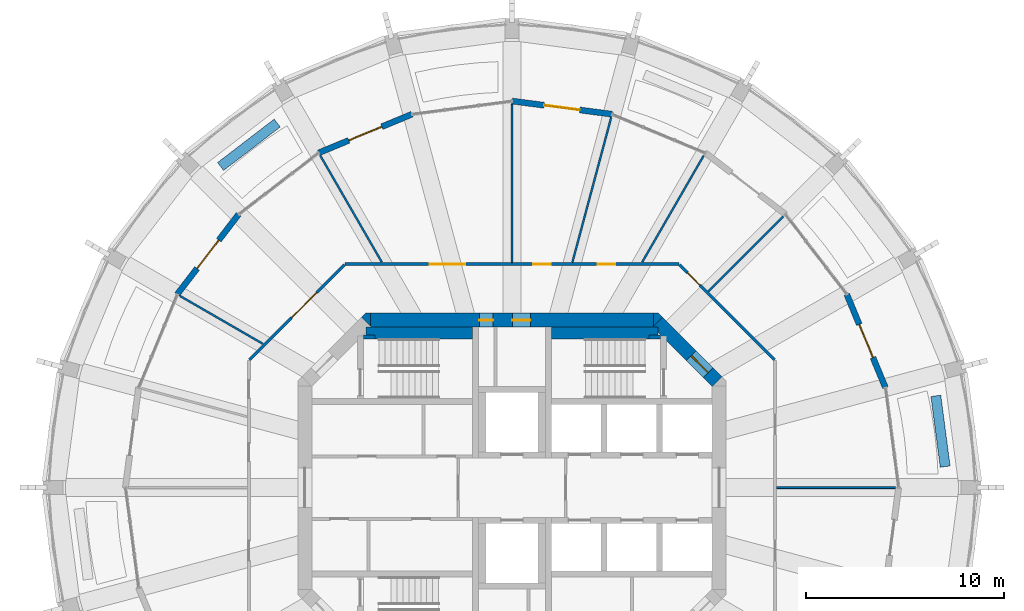
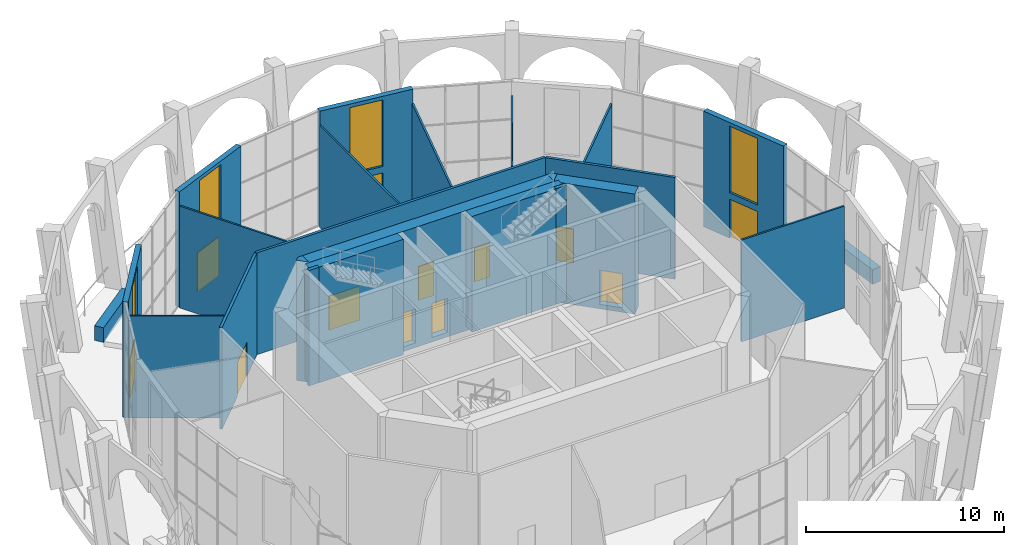
# One storey, part 12 of 16: 24 walls, 12 doors, 4 windows, 16 openings.
"""IFC4 building model written with IfcOpenShell, lengths in metres."""

from ifc_helpers import new_model, si_unit, direction, frame, frame_2d, origin, place, context, subcontext, project, spatial, polyline, rectangle, outline, extrude, material, layer, layer_set, type_object, element, fill, save


model = new_model("IFC4")

# Units and contexts
model_context = context("Model", 3, precision=1e-05, world=origin(), true_north=direction((0.0, 1.0)))
body_context = subcontext(model_context, "Body", "Model", "MODEL_VIEW")
ifc_project = project(units=[si_unit("LENGTHUNIT", "METRE"), si_unit("AREAUNIT", "SQUARE_METRE"), si_unit("VOLUMEUNIT", "CUBIC_METRE"), si_unit("PLANEANGLEUNIT", "RADIAN"), si_unit("MASSUNIT", "GRAM", prefix="KILO")], contexts=[model_context])

# Site, building, storey
site_placement = place(None, origin())
site = spatial("IfcSite", under=ifc_project, at=site_placement, CompositionType="ELEMENT")
building_placement = place(site_placement, origin())
building = spatial("IfcBuilding", under=site, at=building_placement, Name="Torre Triforio", CompositionType="ELEMENT")
storey_placement = place(building_placement, frame((0.0, 0.0, 218.699951171875)))
storey = spatial("IfcBuildingStorey", under=building, at=storey_placement, Name="L50", CompositionType="ELEMENT", Elevation=218.699951171875)

# Wall, openings, doors
ifc_material_1 = material(Name="Concrete C50", Category="concrete")
ifc_layer_1 = layer(ifc_material_1, 0.699951171875)
ifc_layer_set_1 = layer_set([ifc_layer_1], Name="Concrete C50")
wall_type_1 = type_object("IfcWallType", Name="Core wall 700 mm C50 EI 120", PredefinedType="SHEAR", material=ifc_layer_set_1)
wall_1_placement = place(storey_placement, frame((-7.1298828125, 8.449951171875, -0.280029296875), z_axis=(0.0, 0.0, 1.0), x_axis=(1.0, 0.0, 0.0)))
wall_1 = element("IfcWall", 1, at=wall_1_placement, inside=storey, type_object=wall_type_1, Name="Core wall", PredefinedType="SHEAR", context=body_context, shape_type="SweptSolid", body=[
    extrude(rectangle(XDim=14.259765625, YDim=0.699951171875, at=frame_2d((7.1298828125, 0.0))), origin(), (0.0, 0.0, 1.0), 7.400146484375),
])
opening_1_placement = place(wall_1_placement, frame((5.47998046875, 0.0, 0.280029296875)))
opening_1 = element("IfcOpeningElement", 2, at=opening_1_placement, cuts=wall_1, Name="Opening RISER-N", PredefinedType="OPENING", context=body_context, shape_type="SweptSolid", body=[
    extrude(rectangle(XDim=0.699951171875, YDim=2.10009765625, at=frame_2d((0.35009765625, 1.050048828125))), frame((0.0, 0.35986328125, 0.0), z_axis=(0.0, -1.0, 0.0), x_axis=(1.0, 0.0, 0.0)), (0.0, 0.0, 1.0), 0.719970703125),
])
opening_2_placement = place(wall_1_placement, frame((7.155029296875, 0.0, 0.280029296875)))
opening_2 = element("IfcOpeningElement", 3, at=opening_2_placement, cuts=wall_1, Name="Opening NE-01", PredefinedType="OPENING", context=body_context, shape_type="SweptSolid", body=[
    extrude(rectangle(XDim=0.89990234375, YDim=2.10009765625, at=frame_2d((0.449951171875, 1.050048828125))), frame((0.0, 0.35986328125, 0.0), z_axis=(0.0, -1.0, 0.0), x_axis=(1.0, 0.0, 0.0)), (0.0, 0.0, 1.0), 0.719970703125),
])
ifc_material_2 = material(Name="Hollow metal fire door leaf")
door_type_1 = type_object("IfcDoorType", Name="Riser door 700 x 2100 EI 60", OperationType="NOTDEFINED", PredefinedType="DOOR", material=ifc_material_2)
door_1_placement = place(opening_1_placement, origin())
door_1 = element("IfcDoor", 4, at=door_1_placement, inside=storey, type_object=door_type_1, Name="Core door RISER-N", OperationType="SINGLE_SWING_LEFT", OverallHeight=2.10009765625, OverallWidth=0.699951171875, PredefinedType="DOOR", context=body_context, shape_type="SweptSolid", body=[
    extrude(rectangle(XDim=0.699951171875, YDim=2.10009765625, at=frame_2d((0.35009765625, 1.050048828125))), frame((0.0, 0.02490234375, 0.0), z_axis=(0.0, -1.0, 0.0), x_axis=(1.0, 0.0, 0.0)), (0.0, 0.0, 1.0), 0.050048828125),
])
fill(opening_1, door_1)
door_type_2 = type_object("IfcDoorType", Name="Room door 900 x 2100 EI 60", OperationType="NOTDEFINED", PredefinedType="DOOR", material=ifc_material_2)
door_2_placement = place(opening_2_placement, origin())
door_2 = element("IfcDoor", 5, at=door_2_placement, inside=storey, type_object=door_type_2, Name="Core door NE-01", OperationType="SINGLE_SWING_RIGHT", OverallHeight=2.10009765625, OverallWidth=0.89990234375, PredefinedType="DOOR", context=body_context, shape_type="SweptSolid", body=[
    extrude(rectangle(XDim=0.89990234375, YDim=2.10009765625, at=frame_2d((0.449951171875, 1.050048828125))), frame((0.0, 0.02490234375, 0.0), z_axis=(0.0, -1.0, 0.0), x_axis=(1.0, 0.0, 0.0)), (0.0, 0.0, 1.0), 0.050048828125),
])
fill(opening_2, door_2)

# Wall, opening, door
wall_2_placement = place(storey_placement, frame((7.347412109375, 8.347412109375, -0.280029296875), z_axis=(0.0, 0.0, 1.0), x_axis=(0.707106781187, -0.707106781187, 0.0)))
wall_2 = element("IfcWall", 6, at=wall_2_placement, inside=storey, type_object=wall_type_1, Name="Core wall", PredefinedType="SHEAR", context=body_context, shape_type="SweptSolid", body=[
    extrude(rectangle(XDim=4.24267578125, YDim=0.699951171875, at=frame_2d((2.121337890625, 0.0))), origin(), (0.0, 0.0, 1.0), 7.400146484375),
])
opening_3_placement = place(wall_2_placement, frame((2.392578125, 0.0, 0.280029296875)))
opening_3 = element("IfcOpeningElement", 7, at=opening_3_placement, cuts=wall_2, Name="Opening ST2-EXIT", PredefinedType="OPENING", context=body_context, shape_type="SweptSolid", body=[
    extrude(rectangle(XDim=1.199951171875, YDim=2.10009765625, at=frame_2d((0.60009765625, 1.050048828125))), frame((0.0, 0.35986328125, 0.0), z_axis=(0.0, -1.0, 0.0), x_axis=(1.0, 0.0, 0.0)), (0.0, 0.0, 1.0), 0.719970703125),
])
door_type_3 = type_object("IfcDoorType", Name="Stair lobby door 1200 x 2100 EI 60", OperationType="NOTDEFINED", PredefinedType="DOOR", material=ifc_material_2)
door_3_placement = place(opening_3_placement, origin())
door_3 = element("IfcDoor", 8, at=door_3_placement, inside=storey, type_object=door_type_3, Name="Core door ST2-EXIT", OperationType="SINGLE_SWING_RIGHT", OverallHeight=2.10009765625, OverallWidth=1.199951171875, PredefinedType="DOOR", context=body_context, shape_type="SweptSolid", body=[
    extrude(rectangle(XDim=1.199951171875, YDim=2.10009765625, at=frame_2d((0.60009765625, 1.050048828125))), frame((0.0, 0.02490234375, 0.0), z_axis=(0.0, -1.0, 0.0), x_axis=(1.0, 0.0, 0.0)), (0.0, 0.0, 1.0), 0.050048828125),
])
fill(opening_3, door_3)

# Walls
wall_3_placement = place(storey_placement, frame((0.0, 0.0, -0.280029296875)))
element("IfcWall", 9, at=wall_3_placement, inside=storey, type_object=wall_type_1, Name="Core wall", PredefinedType="SHEAR", context=body_context, shape_type="SweptSolid", body=[
    extrude(outline(polyline([(-7.389892578125, 8.800048828125), (-7.1298828125, 8.800048828125), (-7.1298828125, 8.800048828125), (-7.1298828125, 8.1298828125), (-7.594970703125, 8.594970703125), (-7.594970703125, 8.594970703125), (-7.594970703125, 8.594970703125), (-7.389892578125, 8.800048828125)])), origin(), (0.0, 0.0, 1.0), 7.400146484375),
])
wall_4_placement = place(storey_placement, frame((0.0, 0.0, -0.280029296875)))
element("IfcWall", 10, at=wall_4_placement, inside=storey, type_object=wall_type_1, Name="Core wall", PredefinedType="SHEAR", context=body_context, shape_type="SweptSolid", body=[
    extrude(outline(polyline([(7.389892578125, 8.800048828125), (7.594970703125, 8.594970703125), (7.594970703125, 8.594970703125), (7.594970703125, 8.594970703125), (7.1298828125, 8.1298828125), (7.1298828125, 8.800048828125), (7.1298828125, 8.800048828125), (7.389892578125, 8.800048828125)])), origin(), (0.0, 0.0, 1.0), 7.400146484375),
])

# Wall, opening, door
ifc_material_3 = material(Name="Plasterboard on metal studs")
ifc_layer_2 = layer(ifc_material_3, 0.14990234375)
ifc_layer_set_2 = layer_set([ifc_layer_2], Name="Plasterboard on metal studs")
wall_type_2 = type_object("IfcWallType", Name="Corridor and tenancy wall 150 mm EI 60", PredefinedType="PARTITIONING", material=ifc_layer_set_2)
wall_5_placement = place(storey_placement, frame((-13.23779296875, 6.452392578125, 0.0), z_axis=(0.0, 0.0, 1.0), x_axis=(0.707106781187, 0.707106781187, 0.0)))
wall_5 = element("IfcWall", 11, at=wall_5_placement, inside=storey, type_object=wall_type_2, Name="Partition 5", PredefinedType="PARTITIONING", context=body_context, shape_type="SweptSolid", body=[
    extrude(rectangle(XDim=6.767578125, YDim=0.14990234375, at=frame_2d((3.3837890625, 0.0))), origin(), (0.0, 0.0, 1.0), 6.27001953125),
])
opening_4_placement = place(wall_5_placement, frame((2.99169921875, 0.0, 0.0)))
opening_4 = element("IfcOpeningElement", 12, at=opening_4_placement, cuts=wall_5, Name="Opening G3-02", PredefinedType="OPENING", context=body_context, shape_type="SweptSolid", body=[
    extrude(rectangle(XDim=1.800048828125, YDim=2.10009765625, at=frame_2d((0.89990234375, 1.050048828125))), frame((0.0, 0.0849609375, 0.0), z_axis=(0.0, -1.0, 0.0), x_axis=(1.0, 0.0, 0.0)), (0.0, 0.0, 1.0), 0.169921875),
])
ifc_material_4 = material(Name="Timber", Category="wood")
door_type_4 = type_object("IfcDoorType", Name="Door 1800 x 2100 double leaf EI 30", OperationType="DOUBLE_DOOR_SINGLE_SWING", PredefinedType="DOOR", material=ifc_material_4)
door_4_placement = place(opening_4_placement, origin())
door_4 = element("IfcDoor", 13, at=door_4_placement, inside=storey, type_object=door_type_4, Name="Door G3-02", OperationType="DOUBLE_DOOR_SINGLE_SWING", OverallHeight=2.10009765625, OverallWidth=1.800048828125, PredefinedType="DOOR", context=body_context, shape_type="SweptSolid", body=[
    extrude(rectangle(XDim=1.800048828125, YDim=2.10009765625, at=frame_2d((0.89990234375, 1.050048828125))), frame((0.0, 0.02490234375, 0.0), z_axis=(0.0, -1.0, 0.0), x_axis=(1.0, 0.0, 0.0)), (0.0, 0.0, 1.0), 0.050048828125),
])
fill(opening_4, door_4)

# Wall, openings, doors
wall_6_placement = place(storey_placement, frame((-8.4150390625, 11.27490234375, 0.0), z_axis=(0.0, 0.0, 1.0), x_axis=(1.0, 0.0, 0.0)))
wall_6 = element("IfcWall", 14, at=wall_6_placement, inside=storey, type_object=wall_type_2, Name="Partition 6", PredefinedType="PARTITIONING", context=body_context, shape_type="SweptSolid", body=[
    extrude(rectangle(XDim=16.830078125, YDim=0.14990234375, at=frame_2d((8.4150390625, 0.0))), origin(), (0.0, 0.0, 1.0), 6.27001953125),
])
opening_5_placement = place(wall_6_placement, frame((4.25634765625, 0.0, 0.0)))
opening_5 = element("IfcOpeningElement", 15, at=opening_5_placement, cuts=wall_6, Name="Opening G3-01", PredefinedType="OPENING", context=body_context, shape_type="SweptSolid", body=[
    extrude(rectangle(XDim=1.800048828125, YDim=2.10009765625, at=frame_2d((0.89990234375, 1.050048828125))), frame((0.0, 0.0849609375, 0.0), z_axis=(0.0, -1.0, 0.0), x_axis=(1.0, 0.0, 0.0)), (0.0, 0.0, 1.0), 0.169921875),
])
opening_6_placement = place(wall_6_placement, frame((12.734375, 0.0, 0.0)))
opening_6 = element("IfcOpeningElement", 16, at=opening_6_placement, cuts=wall_6, Name="Opening G3-11", PredefinedType="OPENING", context=body_context, shape_type="SweptSolid", body=[
    extrude(rectangle(XDim=0.89990234375, YDim=2.10009765625, at=frame_2d((0.449951171875, 1.050048828125))), frame((0.0, 0.0849609375, 0.0), z_axis=(0.0, -1.0, 0.0), x_axis=(1.0, 0.0, 0.0)), (0.0, 0.0, 1.0), 0.169921875),
])
opening_7_placement = place(wall_6_placement, frame((9.4765625, 0.0, 0.0)))
opening_7 = element("IfcOpeningElement", 17, at=opening_7_placement, cuts=wall_6, Name="Opening G3-12", PredefinedType="OPENING", context=body_context, shape_type="SweptSolid", body=[
    extrude(rectangle(XDim=0.89990234375, YDim=2.10009765625, at=frame_2d((0.449951171875, 1.050048828125))), frame((0.0, 0.0849609375, 0.0), z_axis=(0.0, -1.0, 0.0), x_axis=(1.0, 0.0, 0.0)), (0.0, 0.0, 1.0), 0.169921875),
])
door_5_placement = place(opening_5_placement, origin())
door_5 = element("IfcDoor", 18, at=door_5_placement, inside=storey, type_object=door_type_4, Name="Door G3-01", OperationType="DOUBLE_DOOR_SINGLE_SWING", OverallHeight=2.10009765625, OverallWidth=1.800048828125, PredefinedType="DOOR", context=body_context, shape_type="SweptSolid", body=[
    extrude(rectangle(XDim=1.800048828125, YDim=2.10009765625, at=frame_2d((0.89990234375, 1.050048828125))), frame((0.0, 0.02490234375, 0.0), z_axis=(0.0, -1.0, 0.0), x_axis=(1.0, 0.0, 0.0)), (0.0, 0.0, 1.0), 0.050048828125),
])
fill(opening_5, door_5)
door_type_5 = type_object("IfcDoorType", Name="Door 900 x 2100 single leaf EI 30", OperationType="NOTDEFINED", PredefinedType="DOOR", material=ifc_material_4)
door_6_placement = place(opening_6_placement, origin())
door_6 = element("IfcDoor", 19, at=door_6_placement, inside=storey, type_object=door_type_5, Name="Door G3-11", OperationType="SINGLE_SWING_RIGHT", OverallHeight=2.10009765625, OverallWidth=0.89990234375, PredefinedType="DOOR", context=body_context, shape_type="SweptSolid", body=[
    extrude(rectangle(XDim=0.89990234375, YDim=2.10009765625, at=frame_2d((0.449951171875, 1.050048828125))), frame((0.0, 0.02490234375, 0.0), z_axis=(0.0, -1.0, 0.0), x_axis=(1.0, 0.0, 0.0)), (0.0, 0.0, 1.0), 0.050048828125),
])
fill(opening_6, door_6)
door_7_placement = place(opening_7_placement, origin())
door_7 = element("IfcDoor", 20, at=door_7_placement, inside=storey, type_object=door_type_5, Name="Door G3-12", OperationType="SINGLE_SWING_RIGHT", OverallHeight=2.10009765625, OverallWidth=0.89990234375, PredefinedType="DOOR", context=body_context, shape_type="SweptSolid", body=[
    extrude(rectangle(XDim=0.89990234375, YDim=2.10009765625, at=frame_2d((0.449951171875, 1.050048828125))), frame((0.0, 0.02490234375, 0.0), z_axis=(0.0, -1.0, 0.0), x_axis=(1.0, 0.0, 0.0)), (0.0, 0.0, 1.0), 0.050048828125),
])
fill(opening_7, door_7)

# Wall, opening, door
wall_7_placement = place(storey_placement, frame((8.452392578125, 11.23779296875, 0.0), z_axis=(0.0, 0.0, 1.0), x_axis=(0.707106781187, -0.707106781187, 0.0)))
wall_7 = element("IfcWall", 21, at=wall_7_placement, inside=storey, type_object=wall_type_2, Name="Partition 7", PredefinedType="PARTITIONING", context=body_context, shape_type="SweptSolid", body=[
    extrude(rectangle(XDim=6.767578125, YDim=0.14990234375, at=frame_2d((3.3837890625, 0.0))), origin(), (0.0, 0.0, 1.0), 6.27001953125),
])
opening_8_placement = place(wall_7_placement, frame((0.559814453125, 0.0, 0.0)))
opening_8 = element("IfcOpeningElement", 22, at=opening_8_placement, cuts=wall_7, Name="Opening G3-10", PredefinedType="OPENING", context=body_context, shape_type="SweptSolid", body=[
    extrude(rectangle(XDim=0.89990234375, YDim=2.10009765625, at=frame_2d((0.449951171875, 1.050048828125))), frame((0.0, 0.0849609375, 0.0), z_axis=(0.0, -1.0, 0.0), x_axis=(1.0, 0.0, 0.0)), (0.0, 0.0, 1.0), 0.169921875),
])
door_8_placement = place(opening_8_placement, origin())
door_8 = element("IfcDoor", 23, at=door_8_placement, inside=storey, type_object=door_type_5, Name="Door G3-10", OperationType="SINGLE_SWING_LEFT", OverallHeight=2.10009765625, OverallWidth=0.89990234375, PredefinedType="DOOR", context=body_context, shape_type="SweptSolid", body=[
    extrude(rectangle(XDim=0.89990234375, YDim=2.10009765625, at=frame_2d((0.449951171875, 1.050048828125))), frame((0.0, 0.02490234375, 0.0), z_axis=(0.0, -1.0, 0.0), x_axis=(1.0, 0.0, 0.0)), (0.0, 0.0, 1.0), 0.050048828125),
])
fill(opening_8, door_8)

# Walls
ifc_layer_3 = layer(ifc_material_3, 0.10009765625)
ifc_layer_set_3 = layer_set([ifc_layer_3], Name="Plasterboard on metal studs")
wall_type_3 = type_object("IfcWallType", Name="Partition 100 mm board on metal studs", PredefinedType="PARTITIONING", material=ifc_layer_set_3)
wall_8_placement = place(storey_placement, frame((13.35009765625, 0.0, 0.0), z_axis=(0.0, 0.0, 1.0), x_axis=(1.0, 0.0, 0.0)))
element("IfcWall", 24, at=wall_8_placement, inside=storey, type_object=wall_type_3, Name="Partition 9", PredefinedType="PARTITIONING", context=body_context, shape_type="SweptSolid", body=[
    extrude(rectangle(XDim=5.986572265625, YDim=0.10009765625, at=frame_2d((2.9931640625, 0.0))), origin(), (0.0, 0.0, 1.0), 6.27001953125),
])
wall_9_placement = place(storey_placement, frame((9.898193359375, 9.898193359375, 0.0), z_axis=(0.0, 0.0, 1.0), x_axis=(0.707106781187, 0.707106781187, 0.0)))
element("IfcWall", 25, at=wall_9_placement, inside=storey, type_object=wall_type_3, Name="Partition 10", PredefinedType="PARTITIONING", context=body_context, shape_type="SweptSolid", body=[
    extrude(rectangle(XDim=5.338623046875, YDim=0.10009765625, at=frame_2d((2.66943359375, 0.0))), origin(), (0.0, 0.0, 1.0), 6.27001953125),
])
wall_10_placement = place(storey_placement, frame((6.567138671875, 11.37451171875, 0.0), z_axis=(0.0, 0.0, 1.0), x_axis=(0.500004114527, 0.866023028248, 0.0)))
element("IfcWall", 26, at=wall_10_placement, inside=storey, type_object=wall_type_3, Name="Partition 11", PredefinedType="PARTITIONING", context=body_context, shape_type="SweptSolid", body=[
    extrude(rectangle(XDim=6.20263671875, YDim=0.10009765625, at=frame_2d((3.101318359375, 0.0))), origin(), (0.0, 0.0, 1.0), 6.27001953125),
])
wall_11_placement = place(storey_placement, frame((3.045166015625, 11.3642578125, 0.0), z_axis=(0.0, 0.0, 1.0), x_axis=(0.25879840648, 0.965931356155, 0.0)))
element("IfcWall", 27, at=wall_11_placement, inside=storey, type_object=wall_type_3, Name="Partition 12", PredefinedType="PARTITIONING", context=body_context, shape_type="SweptSolid", body=[
    extrude(rectangle(XDim=7.571533203125, YDim=0.10009765625, at=frame_2d((3.78564453125, 0.0))), origin(), (0.0, 0.0, 1.0), 6.27001953125),
])
wall_12_placement = place(storey_placement, frame((0.0, 11.35009765625, 0.0), z_axis=(0.0, 0.0, 1.0), x_axis=(0.0, 1.0, 0.0)))
element("IfcWall", 28, at=wall_12_placement, inside=storey, type_object=wall_type_3, Name="Partition 13", PredefinedType="PARTITIONING", context=body_context, shape_type="SweptSolid", body=[
    extrude(rectangle(XDim=7.986572265625, YDim=0.10009765625, at=frame_2d((3.9931640625, 0.0))), origin(), (0.0, 0.0, 1.0), 6.27001953125),
])
wall_13_placement = place(storey_placement, frame((-6.567138671875, 11.37451171875, 0.0), z_axis=(0.0, 0.0, 1.0), x_axis=(-0.500004114527, 0.866023028248, 0.0)))
element("IfcWall", 29, at=wall_13_placement, inside=storey, type_object=wall_type_3, Name="Partition 14", PredefinedType="PARTITIONING", context=body_context, shape_type="SweptSolid", body=[
    extrude(rectangle(XDim=6.20263671875, YDim=0.10009765625, at=frame_2d((3.101318359375, 0.0))), origin(), (0.0, 0.0, 1.0), 6.27001953125),
])
wall_14_placement = place(storey_placement, frame((-12.56298828125, 7.25341796875, 0.0), z_axis=(0.0, 0.0, 1.0), x_axis=(-0.866032396701, 0.499987887718, 0.0)))
element("IfcWall", 30, at=wall_14_placement, inside=storey, type_object=wall_type_3, Name="Partition 15", PredefinedType="PARTITIONING", context=body_context, shape_type="SweptSolid", body=[
    extrude(rectangle(XDim=4.830078125, YDim=0.10009765625, at=frame_2d((2.4150390625, 0.0))), origin(), (0.0, 0.0, 1.0), 6.27001953125),
])
ifc_material_5 = material(Name="Limestone cladding", Category="masonry")
ifc_layer_4 = layer(ifc_material_5, 0.10009765625)
ifc_material_6 = material(Name="Concrete C40", Category="concrete")
ifc_layer_5 = layer(ifc_material_6, 0.39990234375)
ifc_layer_set_4 = layer_set([ifc_layer_4, ifc_layer_5], Name="Limestone cladding / Concrete C40")
wall_type_4 = type_object("IfcWallType", Name="Planter wall 500", PredefinedType="PARAPET", material=ifc_layer_set_4)
wall_15_placement = place(storey_placement, frame((21.848388671875, 1.060791015625, 0.0), z_axis=(0.0, 0.0, 1.0), x_axis=(-0.130475563272, 0.991451525486, 0.0)))
element("IfcWall", 31, at=wall_15_placement, inside=storey, type_object=wall_type_4, Name="Planter L50 bay 01", PredefinedType="PARAPET", context=body_context, shape_type="SweptSolid", body=[
    extrude(rectangle(XDim=3.60009765625, YDim=0.5, at=frame_2d((1.800048828125, 0.0))), origin(), (0.0, 0.0, 1.0), 0.900146484375),
])
wall_16_placement = place(storey_placement, frame((-11.843017578125, 18.390869140625, 0.0), z_axis=(0.0, 0.0, 1.0), x_axis=(-0.793326845617, -0.608795955984, 0.0)))
element("IfcWall", 32, at=wall_16_placement, inside=storey, type_object=wall_type_4, Name="Planter L50 bay 09", PredefinedType="PARAPET", context=body_context, shape_type="SweptSolid", body=[
    extrude(rectangle(XDim=3.599853515625, YDim=0.5, at=frame_2d((1.7998046875, 0.0))), origin(), (0.0, 0.0, 1.0), 0.900146484375),
])
ifc_layer_6 = layer(ifc_material_1, 0.199951171875)
ifc_layer_set_5 = layer_set([ifc_layer_6], Name="Concrete C50")
wall_type_5 = type_object("IfcWallType", Name="Stair wall 200 mm C50 EI 120", PredefinedType="SHEAR", material=ifc_layer_set_5)
for number, where, z_axis, x_axis, name in (
    (33, (-7.5, 7.60009765625, 0.0), (0.0, 0.0, 1.0), (1.0, 0.0, 0.0), "Stair wall"),
    (34, (6.89990234375, 7.60009765625, 0.0), (0.0, 0.0, 1.0), (1.0, 0.0, 0.0), "Stair wall"),
):
    element("IfcWall", number, at=place(storey_placement, frame(where, z_axis=z_axis, x_axis=x_axis)), inside=storey, type_object=wall_type_5, Name=name, PredefinedType="SHEAR", context=body_context, shape_type="SweptSolid", body=[
        extrude(rectangle(XDim=0.60009765625, YDim=0.199951171875, at=frame_2d((0.300048828125, 0.0))), origin(), (0.0, 0.0, 1.0), 7.1201171875),
    ])
ifc_layer_7 = layer(ifc_material_1, 0.60009765625)
ifc_layer_set_6 = layer_set([ifc_layer_7], Name="Concrete C50")
wall_type_6 = type_object("IfcWallType", Name="Stair wall 600 mm C50 EI 120", PredefinedType="SHEAR", material=ifc_layer_set_6)
for number, where, z_axis, x_axis, name in (
    (35, (-7.3701171875, 7.800048828125, 0.0), (0.0, 0.0, 1.0), (1.0, 0.0, 0.0), "Stair wall"),
    (36, (2.0, 7.800048828125, 0.0), (0.0, 0.0, 1.0), (1.0, 0.0, 0.0), "Stair wall"),
):
    element("IfcWall", number, at=place(storey_placement, frame(where, z_axis=z_axis, x_axis=x_axis)), inside=storey, type_object=wall_type_6, Name=name, PredefinedType="SHEAR", context=body_context, shape_type="SweptSolid", body=[
        extrude(rectangle(XDim=5.3701171875, YDim=0.60009765625, at=frame_2d((2.68505859375, 0.0))), origin(), (0.0, 0.0, 1.0), 7.1201171875),
    ])

# Wall, openings, window, door
ifc_layer_8 = layer(ifc_material_5, 0.10009765625)
ifc_layer_9 = layer(ifc_material_6, 0.199951171875)
ifc_layer_set_7 = layer_set([ifc_layer_8, ifc_layer_9], Name="Limestone cladding / Concrete C40")
wall_type_7 = type_object("IfcWallType", Name="Stone-faced composite wall 300", PredefinedType="STANDARD", material=ifc_layer_set_7)
wall_17_placement = place(storey_placement, frame((18.835693359375, 5.047119140625, 0.0), z_axis=(0.0, 0.0, 1.0), x_axis=(-0.382724538613, 0.923862504675, 0.0)))
wall_17 = element("IfcWall", 37, at=wall_17_placement, inside=storey, type_object=wall_type_7, Name="External wall L50 bay 02", PredefinedType="STANDARD", context=body_context, shape_type="SweptSolid", body=[
    extrude(rectangle(XDim=5.090576171875, YDim=0.300048828125, at=frame_2d((2.54541015625, 0.0))), origin(), (0.0, 0.0, 1.0), 7.1201171875),
])
opening_9_placement = place(wall_17_placement, frame((1.645263671875, 0.0, 0.0)))
opening_9 = element("IfcOpeningElement", 38, at=opening_9_placement, cuts=wall_17, Name="Opening G3-D02", PredefinedType="OPENING", context=body_context, shape_type="SweptSolid", body=[
    extrude(rectangle(XDim=1.800048828125, YDim=2.39990234375, at=frame_2d((0.89990234375, 1.199951171875))), frame((0.0, 0.159912109375, 0.0), z_axis=(0.0, -1.0, 0.0), x_axis=(1.0, 0.0, 0.0)), (0.0, 0.0, 1.0), 0.320068359375),
])
opening_10_placement = place(wall_17_placement, frame((1.645263671875, 0.0, 2.800048828125)))
opening_10 = element("IfcOpeningElement", 39, at=opening_10_placement, cuts=wall_17, Name="Opening G3-W02", PredefinedType="OPENING", context=body_context, shape_type="SweptSolid", body=[
    extrude(rectangle(XDim=1.800048828125, YDim=4.10009765625, at=frame_2d((0.89990234375, 2.050048828125))), frame((0.0, 0.159912109375, 0.0), z_axis=(0.0, -1.0, 0.0), x_axis=(1.0, 0.0, 0.0)), (0.0, 0.0, 1.0), 0.320068359375),
])
ifc_material_7 = material(Name="Aluminium frame with clear double glazing", Category="aluminium")
window_type = type_object("IfcWindowType", Name="Garden clerestory window 1800 x 4100", PartitioningType="DOUBLE_PANEL_VERTICAL", PredefinedType="WINDOW", material=ifc_material_7)
window_1_placement = place(opening_10_placement, origin())
window_1 = element("IfcWindow", 40, at=window_1_placement, inside=storey, type_object=window_type, Name="Clerestory EWN22 L50 bay 02", OverallHeight=4.10009765625, OverallWidth=1.800048828125, PartitioningType="SINGLE_PANEL", PredefinedType="WINDOW", context=body_context, shape_type="SweptSolid", body=[
    extrude(rectangle(XDim=1.800048828125, YDim=4.10009765625, at=frame_2d((0.89990234375, 2.050048828125))), frame((0.0, 0.030029296875, 0.0), z_axis=(0.0, -1.0, 0.0), x_axis=(1.0, 0.0, 0.0)), (0.0, 0.0, 1.0), 0.06005859375),
])
fill(opening_10, window_1)
door_type_6 = type_object("IfcDoorType", Name="Terrace double door 1800 x 2400", OperationType="DOUBLE_DOOR_SINGLE_SWING", PredefinedType="DOOR", material=ifc_material_7)
door_9_placement = place(opening_9_placement, origin())
door_9 = element("IfcDoor", 41, at=door_9_placement, inside=storey, type_object=door_type_6, Name="Terrace door L50 bay 02", OperationType="SINGLE_SWING_LEFT", OverallHeight=2.39990234375, OverallWidth=1.800048828125, PredefinedType="DOOR", context=body_context, shape_type="SweptSolid", body=[
    extrude(rectangle(XDim=1.800048828125, YDim=2.39990234375, at=frame_2d((0.89990234375, 1.199951171875))), frame((0.0, 0.02490234375, 0.0), z_axis=(0.0, -1.0, 0.0), x_axis=(1.0, 0.0, 0.0)), (0.0, 0.0, 1.0), 0.050048828125),
])
fill(opening_9, door_9)

wall_18_placement = place(storey_placement, frame((5.047119140625, 18.835693359375, 0.0), z_axis=(0.0, 0.0, 1.0), x_axis=(-0.99144890792, 0.130495451964, 0.0)))
wall_18 = element("IfcWall", 42, at=wall_18_placement, inside=storey, type_object=wall_type_7, Name="External wall L50 bay 06", PredefinedType="STANDARD", context=body_context, shape_type="SweptSolid", body=[
    extrude(rectangle(XDim=5.090576171875, YDim=0.300048828125, at=frame_2d((2.54541015625, 0.0))), origin(), (0.0, 0.0, 1.0), 7.1201171875),
])
opening_11_placement = place(wall_18_placement, frame((1.645263671875, 0.0, 0.0)))
opening_11 = element("IfcOpeningElement", 43, at=opening_11_placement, cuts=wall_18, Name="Opening G3-D06", PredefinedType="OPENING", context=body_context, shape_type="SweptSolid", body=[
    extrude(rectangle(XDim=1.800048828125, YDim=2.39990234375, at=frame_2d((0.89990234375, 1.199951171875))), frame((0.0, 0.159912109375, 0.0), z_axis=(0.0, -1.0, 0.0), x_axis=(1.0, 0.0, 0.0)), (0.0, 0.0, 1.0), 0.320068359375),
])
opening_12_placement = place(wall_18_placement, frame((1.645263671875, 0.0, 2.800048828125)))
opening_12 = element("IfcOpeningElement", 44, at=opening_12_placement, cuts=wall_18, Name="Opening G3-W06", PredefinedType="OPENING", context=body_context, shape_type="SweptSolid", body=[
    extrude(rectangle(XDim=1.800048828125, YDim=4.10009765625, at=frame_2d((0.89990234375, 2.050048828125))), frame((0.0, 0.159912109375, 0.0), z_axis=(0.0, -1.0, 0.0), x_axis=(1.0, 0.0, 0.0)), (0.0, 0.0, 1.0), 0.320068359375),
])
window_2_placement = place(opening_12_placement, origin())
window_2 = element("IfcWindow", 45, at=window_2_placement, inside=storey, type_object=window_type, Name="Clerestory EWN22 L50 bay 06", OverallHeight=4.10009765625, OverallWidth=1.800048828125, PartitioningType="SINGLE_PANEL", PredefinedType="WINDOW", context=body_context, shape_type="SweptSolid", body=[
    extrude(rectangle(XDim=1.800048828125, YDim=4.10009765625, at=frame_2d((0.89990234375, 2.050048828125))), frame((0.0, 0.030029296875, 0.0), z_axis=(0.0, -1.0, 0.0), x_axis=(1.0, 0.0, 0.0)), (0.0, 0.0, 1.0), 0.06005859375),
])
fill(opening_12, window_2)
door_10_placement = place(opening_11_placement, origin())
door_10 = element("IfcDoor", 46, at=door_10_placement, inside=storey, type_object=door_type_6, Name="Terrace door L50 bay 06", OperationType="SINGLE_SWING_LEFT", OverallHeight=2.39990234375, OverallWidth=1.800048828125, PredefinedType="DOOR", context=body_context, shape_type="SweptSolid", body=[
    extrude(rectangle(XDim=1.800048828125, YDim=2.39990234375, at=frame_2d((0.89990234375, 1.199951171875))), frame((0.0, 0.02490234375, 0.0), z_axis=(0.0, -1.0, 0.0), x_axis=(1.0, 0.0, 0.0)), (0.0, 0.0, 1.0), 0.050048828125),
])
fill(opening_11, door_10)

wall_19_placement = place(storey_placement, frame((-5.047119140625, 18.835693359375, 0.0), z_axis=(0.0, 0.0, 1.0), x_axis=(-0.923862504675, -0.382724538613, 0.0)))
wall_19 = element("IfcWall", 47, at=wall_19_placement, inside=storey, type_object=wall_type_7, Name="External wall L50 bay 08", PredefinedType="STANDARD", context=body_context, shape_type="SweptSolid", body=[
    extrude(rectangle(XDim=5.090576171875, YDim=0.300048828125, at=frame_2d((2.54541015625, 0.0))), origin(), (0.0, 0.0, 1.0), 7.1201171875),
])
opening_13_placement = place(wall_19_placement, frame((1.645263671875, 0.0, 0.0)))
opening_13 = element("IfcOpeningElement", 48, at=opening_13_placement, cuts=wall_19, Name="Opening G3-D08", PredefinedType="OPENING", context=body_context, shape_type="SweptSolid", body=[
    extrude(rectangle(XDim=1.800048828125, YDim=2.39990234375, at=frame_2d((0.89990234375, 1.199951171875))), frame((0.0, 0.159912109375, 0.0), z_axis=(0.0, -1.0, 0.0), x_axis=(1.0, 0.0, 0.0)), (0.0, 0.0, 1.0), 0.320068359375),
])
opening_14_placement = place(wall_19_placement, frame((1.645263671875, 0.0, 2.800048828125)))
opening_14 = element("IfcOpeningElement", 49, at=opening_14_placement, cuts=wall_19, Name="Opening G3-W08", PredefinedType="OPENING", context=body_context, shape_type="SweptSolid", body=[
    extrude(rectangle(XDim=1.800048828125, YDim=4.10009765625, at=frame_2d((0.89990234375, 2.050048828125))), frame((0.0, 0.159912109375, 0.0), z_axis=(0.0, -1.0, 0.0), x_axis=(1.0, 0.0, 0.0)), (0.0, 0.0, 1.0), 0.320068359375),
])
window_3_placement = place(opening_14_placement, origin())
window_3 = element("IfcWindow", 50, at=window_3_placement, inside=storey, type_object=window_type, Name="Clerestory EWN22 L50 bay 08", OverallHeight=4.10009765625, OverallWidth=1.800048828125, PartitioningType="SINGLE_PANEL", PredefinedType="WINDOW", context=body_context, shape_type="SweptSolid", body=[
    extrude(rectangle(XDim=1.800048828125, YDim=4.10009765625, at=frame_2d((0.89990234375, 2.050048828125))), frame((0.0, 0.030029296875, 0.0), z_axis=(0.0, -1.0, 0.0), x_axis=(1.0, 0.0, 0.0)), (0.0, 0.0, 1.0), 0.06005859375),
])
fill(opening_14, window_3)
door_11_placement = place(opening_13_placement, origin())
door_11 = element("IfcDoor", 51, at=door_11_placement, inside=storey, type_object=door_type_6, Name="Terrace door L50 bay 08", OperationType="SINGLE_SWING_LEFT", OverallHeight=2.39990234375, OverallWidth=1.800048828125, PredefinedType="DOOR", context=body_context, shape_type="SweptSolid", body=[
    extrude(rectangle(XDim=1.800048828125, YDim=2.39990234375, at=frame_2d((0.89990234375, 1.199951171875))), frame((0.0, 0.02490234375, 0.0), z_axis=(0.0, -1.0, 0.0), x_axis=(1.0, 0.0, 0.0)), (0.0, 0.0, 1.0), 0.050048828125),
])
fill(opening_13, door_11)

wall_20_placement = place(storey_placement, frame((-13.78857421875, 13.78857421875, 0.0), z_axis=(0.0, 0.0, 1.0), x_axis=(-0.608757714995, -0.79335619014, 0.0)))
wall_20 = element("IfcWall", 52, at=wall_20_placement, inside=storey, type_object=wall_type_7, Name="External wall L50 bay 10", PredefinedType="STANDARD", context=body_context, shape_type="SweptSolid", body=[
    extrude(rectangle(XDim=5.090576171875, YDim=0.300048828125, at=frame_2d((2.54541015625, 0.0))), origin(), (0.0, 0.0, 1.0), 7.1201171875),
])
opening_15_placement = place(wall_20_placement, frame((1.645263671875, 0.0, 0.0)))
opening_15 = element("IfcOpeningElement", 53, at=opening_15_placement, cuts=wall_20, Name="Opening G3-D10", PredefinedType="OPENING", context=body_context, shape_type="SweptSolid", body=[
    extrude(rectangle(XDim=1.800048828125, YDim=2.39990234375, at=frame_2d((0.89990234375, 1.199951171875))), frame((0.0, 0.159912109375, 0.0), z_axis=(0.0, -1.0, 0.0), x_axis=(1.0, 0.0, 0.0)), (0.0, 0.0, 1.0), 0.320068359375),
])
opening_16_placement = place(wall_20_placement, frame((1.645263671875, 0.0, 2.800048828125)))
opening_16 = element("IfcOpeningElement", 54, at=opening_16_placement, cuts=wall_20, Name="Opening G3-W10", PredefinedType="OPENING", context=body_context, shape_type="SweptSolid", body=[
    extrude(rectangle(XDim=1.800048828125, YDim=4.10009765625, at=frame_2d((0.89990234375, 2.050048828125))), frame((0.0, 0.159912109375, 0.0), z_axis=(0.0, -1.0, 0.0), x_axis=(1.0, 0.0, 0.0)), (0.0, 0.0, 1.0), 0.320068359375),
])
window_4_placement = place(opening_16_placement, origin())
window_4 = element("IfcWindow", 55, at=window_4_placement, inside=storey, type_object=window_type, Name="Clerestory EWN22 L50 bay 10", OverallHeight=4.10009765625, OverallWidth=1.800048828125, PartitioningType="SINGLE_PANEL", PredefinedType="WINDOW", context=body_context, shape_type="SweptSolid", body=[
    extrude(rectangle(XDim=1.800048828125, YDim=4.10009765625, at=frame_2d((0.89990234375, 2.050048828125))), frame((0.0, 0.030029296875, 0.0), z_axis=(0.0, -1.0, 0.0), x_axis=(1.0, 0.0, 0.0)), (0.0, 0.0, 1.0), 0.06005859375),
])
fill(opening_16, window_4)
door_12_placement = place(opening_15_placement, origin())
door_12 = element("IfcDoor", 56, at=door_12_placement, inside=storey, type_object=door_type_6, Name="Terrace door L50 bay 10", OperationType="SINGLE_SWING_LEFT", OverallHeight=2.39990234375, OverallWidth=1.800048828125, PredefinedType="DOOR", context=body_context, shape_type="SweptSolid", body=[
    extrude(rectangle(XDim=1.800048828125, YDim=2.39990234375, at=frame_2d((0.89990234375, 1.199951171875))), frame((0.0, 0.02490234375, 0.0), z_axis=(0.0, -1.0, 0.0), x_axis=(1.0, 0.0, 0.0)), (0.0, 0.0, 1.0), 0.050048828125),
])
fill(opening_15, door_12)

save(model, "model.ifc")
